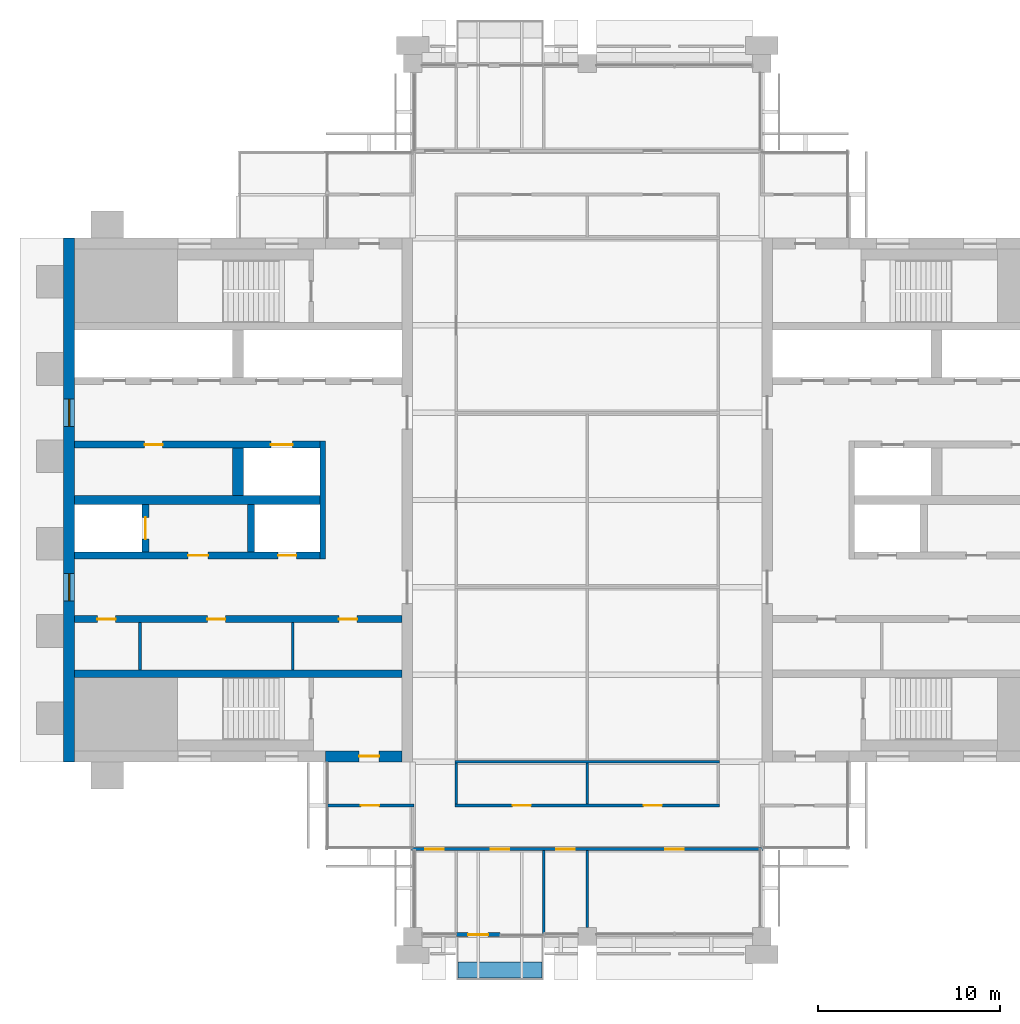
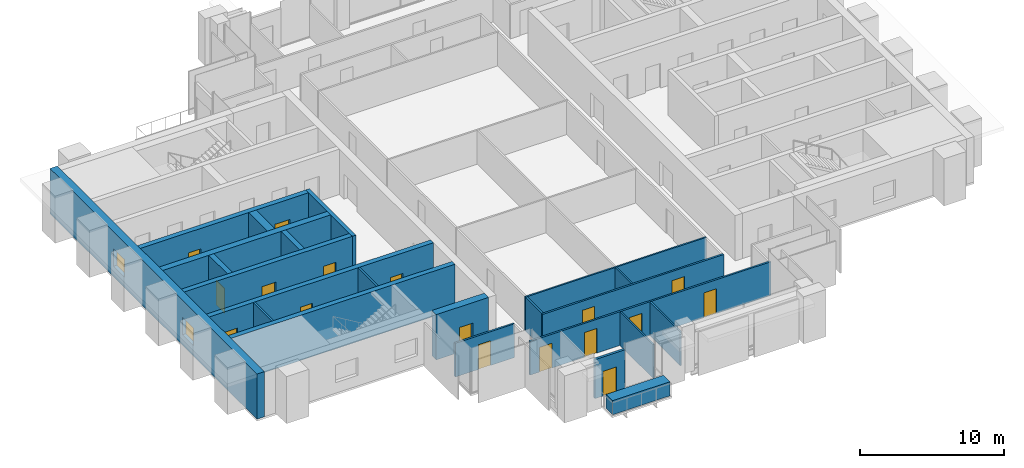
# One storey, part 8 of 14: 23 walls, 17 doors, 2 windows, 19 openings.
"""IFC4 building model written with IfcOpenShell, lengths in metres."""

from ifc_helpers import new_model, si_unit, direction, frame, frame_2d, origin, place, context, subcontext, project, spatial, rectangle, extrude, material, layer, layer_set, type_object, element, fill, save


model = new_model("IFC4")

# Units and contexts
model_context = context("Model", 3, precision=1e-05, world=origin(), true_north=direction((0.0, 1.0)))
body_context = subcontext(model_context, "Body", "Model", "MODEL_VIEW")
ifc_project = project(units=[si_unit("LENGTHUNIT", "METRE"), si_unit("AREAUNIT", "SQUARE_METRE"), si_unit("VOLUMEUNIT", "CUBIC_METRE"), si_unit("PLANEANGLEUNIT", "RADIAN"), si_unit("MASSUNIT", "GRAM", prefix="KILO")], contexts=[model_context])

# Site, building, storey
site_placement = place(None, origin())
site = spatial("IfcSite", under=ifc_project, at=site_placement, CompositionType="ELEMENT")
building_placement = place(site_placement, origin())
building = spatial("IfcBuilding", under=site, at=building_placement, Name="Baori Bourse Tower", CompositionType="ELEMENT")
storey_placement = place(building_placement, frame((0.0, 0.0, 290.300048828125)))
storey = spatial("IfcBuildingStorey", under=building, at=storey_placement, Name="L63", CompositionType="ELEMENT", Elevation=290.300048828125)

# Walls
ifc_material_1 = material(Name="Blockwork partition", Category="masonry")
ifc_layer_1 = layer(ifc_material_1, 0.14990234375)
ifc_layer_set_1 = layer_set([ifc_layer_1], Name="Core partition 150")
wall_type_1 = type_object("IfcWallType", Name="Core partition 150", PredefinedType="PARTITIONING", material=ifc_layer_set_1)
for number, where, z_axis, x_axis, name in (
    (1, (4.199951171875, 14.64990234375, 0.0), (0.0, 0.0, 1.0), (0.0, 1.0, 0.0), "Partition wall W09"),
    (2, (12.60009765625, 14.64990234375, 0.0), (0.0, 0.0, 1.0), (0.0, 1.0, 0.0), "Partition wall W10"),
):
    element("IfcWall", number, at=place(storey_placement, frame(where, z_axis=z_axis, x_axis=x_axis)), inside=storey, type_object=wall_type_1, Name=name, PredefinedType="PARTITIONING", context=body_context, shape_type="SweptSolid", body=[
        extrude(rectangle(XDim=2.60009765625, YDim=0.14990234375, at=frame_2d((1.300048828125, 0.0))), origin(), (0.0, 0.0, 1.0), 3.83984375),
    ])

# Wall, openings, windows
ifc_material_2 = material(Name="Concrete f'c 40 MPa", Category="concrete")
ifc_layer_2 = layer(ifc_material_2, 0.60009765625)
ifc_layer_set_2 = layer_set([ifc_layer_2], Name="Core wall 600 f'c 40")
wall_type_2 = type_object("IfcWallType", Name="Core wall 600 f'c 40", PredefinedType="SHEAR", material=ifc_layer_set_2)
wall_1_placement = place(storey_placement, frame((0.300048828125, 9.60009765625, 0.0), z_axis=(0.0, 0.0, 1.0), x_axis=(0.0, 1.0, 0.0)))
wall_1 = element("IfcWall", 3, at=wall_1_placement, inside=storey, type_object=wall_type_2, Name="Core wall W01", PredefinedType="SHEAR", context=body_context, shape_type="SweptSolid", body=[
    extrude(rectangle(XDim=28.7998046875, YDim=0.60009765625, at=frame_2d((14.39990234375, 0.0))), origin(), (0.0, 0.0, 1.0), 3.83984375),
])
opening_1_placement = place(wall_1_placement, frame((8.85009765625, 0.0, 0.89990234375)))
opening_1 = element("IfcOpeningElement", 4, at=opening_1_placement, cuts=wall_1, Name="Opening L63-KW101", PredefinedType="OPENING", context=body_context, shape_type="SweptSolid", body=[
    extrude(rectangle(XDim=1.5, YDim=1.5, at=frame_2d((0.75, 0.75))), frame((0.0, 0.31005859375, 0.0), z_axis=(0.0, -1.0, 0.0), x_axis=(1.0, 0.0, 0.0)), (0.0, 0.0, 1.0), 0.6201171875),
])
opening_2_placement = place(wall_1_placement, frame((18.449951171875, 0.0, 0.89990234375)))
opening_2 = element("IfcOpeningElement", 5, at=opening_2_placement, cuts=wall_1, Name="Opening L63-KW102", PredefinedType="OPENING", context=body_context, shape_type="SweptSolid", body=[
    extrude(rectangle(XDim=1.5, YDim=1.5, at=frame_2d((0.75, 0.75))), frame((0.0, 0.31005859375, 0.0), z_axis=(0.0, -1.0, 0.0), x_axis=(1.0, 0.0, 0.0)), (0.0, 0.0, 1.0), 0.6201171875),
])
ifc_material_3 = material(Name="Pale anodised aluminium", Category="aluminium")
window_type = type_object("IfcWindowType", Name="Lobby window 1500 x 1500", PartitioningType="SINGLE_PANEL", PredefinedType="WINDOW", material=ifc_material_3)
window_1_placement = place(opening_1_placement, origin())
window_1 = element("IfcWindow", 6, at=window_1_placement, inside=storey, type_object=window_type, Name="Outer wall window W L63 1", OverallHeight=1.5, OverallWidth=1.5, PartitioningType="SINGLE_PANEL", PredefinedType="WINDOW", context=body_context, shape_type="SweptSolid", body=[
    extrude(rectangle(XDim=1.5, YDim=1.5, at=frame_2d((0.75, 0.75))), frame((0.0, 0.030029296875, 0.0), z_axis=(0.0, -1.0, 0.0), x_axis=(1.0, 0.0, 0.0)), (0.0, 0.0, 1.0), 0.06005859375),
])
fill(opening_1, window_1)
window_2_placement = place(opening_2_placement, origin())
window_2 = element("IfcWindow", 7, at=window_2_placement, inside=storey, type_object=window_type, Name="Outer wall window W L63 2", OverallHeight=1.5, OverallWidth=1.5, PartitioningType="SINGLE_PANEL", PredefinedType="WINDOW", context=body_context, shape_type="SweptSolid", body=[
    extrude(rectangle(XDim=1.5, YDim=1.5, at=frame_2d((0.75, 0.75))), frame((0.0, 0.030029296875, 0.0), z_axis=(0.0, -1.0, 0.0), x_axis=(1.0, 0.0, 0.0)), (0.0, 0.0, 1.0), 0.06005859375),
])
fill(opening_2, window_2)

# Wall, opening, door
wall_2_placement = place(storey_placement, frame((18.60009765625, 9.89990234375, 0.0), z_axis=(0.0, 0.0, 1.0), x_axis=(-1.0, 0.0, 0.0)))
wall_2 = element("IfcWall", 8, at=wall_2_placement, inside=storey, type_object=wall_type_2, Name="Core wall W03", PredefinedType="SHEAR", context=body_context, shape_type="SweptSolid", body=[
    extrude(rectangle(XDim=4.2001953125, YDim=0.60009765625, at=frame_2d((2.10009765625, 0.0))), origin(), (0.0, 0.0, 1.0), 3.83984375),
])
opening_3_placement = place(wall_2_placement, frame((1.25, 0.0, 0.0)))
opening_3 = element("IfcOpeningElement", 9, at=opening_3_placement, cuts=wall_2, Name="Opening L63-D102", PredefinedType="OPENING", context=body_context, shape_type="SweptSolid", body=[
    extrude(rectangle(XDim=1.10009765625, YDim=2.10009765625, at=frame_2d((0.550048828125, 1.050048828125))), frame((0.0, 0.31005859375, 0.0), z_axis=(0.0, -1.0, 0.0), x_axis=(1.0, 0.0, 0.0)), (0.0, 0.0, 1.0), 0.6201171875),
])
ifc_material_4 = material(Name="Painted steel door", Category="steel")
door_type_1 = type_object("IfcDoorType", Name="Stair door 1100", OperationType="SINGLE_SWING_LEFT", PredefinedType="DOOR", material=ifc_material_4)
door_1_placement = place(opening_3_placement, origin())
door_1 = element("IfcDoor", 10, at=door_1_placement, inside=storey, type_object=door_type_1, Name="Stair vestibule door A W L63", OperationType="SINGLE_SWING_LEFT", OverallHeight=2.10009765625, OverallWidth=1.10009765625, PredefinedType="DOOR", context=body_context, shape_type="SweptSolid", body=[
    extrude(rectangle(XDim=1.10009765625, YDim=2.10009765625, at=frame_2d((0.550048828125, 1.050048828125))), frame((0.0, 0.02490234375, 0.0), z_axis=(0.0, -1.0, 0.0), x_axis=(1.0, 0.0, 0.0)), (0.0, 0.0, 1.0), 0.050048828125),
])
fill(opening_3, door_1)

# Wall, openings, doors
ifc_material_5 = material(Name="Gypsum board partition")
ifc_layer_3 = layer(ifc_material_5, 0.14990234375)
ifc_layer_set_3 = layer_set([ifc_layer_3], Name="Corridor partition 150")
wall_type_3 = type_object("IfcWallType", Name="Corridor partition 150", PredefinedType="PARTITIONING", material=ifc_layer_set_3)
wall_3_placement = place(storey_placement, frame((19.125, 4.800048828125, 0.0), z_axis=(0.0, 0.0, 1.0), x_axis=(1.0, 0.0, 0.0)))
wall_3 = element("IfcWall", 11, at=wall_3_placement, inside=storey, type_object=wall_type_3, Name="Partition", PredefinedType="PARTITIONING", context=body_context, shape_type="SweptSolid", body=[
    extrude(rectangle(XDim=19.35009765625, YDim=0.14990234375, at=frame_2d((9.675048828125, 0.0))), origin(), (0.0, 0.0, 1.0), 2.86962890625),
])
opening_4_placement = place(wall_3_placement, frame((0.77490234375, 0.0, 0.0)))
opening_4 = element("IfcOpeningElement", 12, at=opening_4_placement, cuts=wall_3, Name="Opening L63-D01", PredefinedType="OPENING", context=body_context, shape_type="SweptSolid", body=[
    extrude(rectangle(XDim=1.0, YDim=2.10009765625, at=frame_2d((0.5, 1.050048828125))), frame((0.0, 0.0849609375, 0.0), z_axis=(0.0, -1.0, 0.0), x_axis=(1.0, 0.0, 0.0)), (0.0, 0.0, 1.0), 0.169921875),
])
opening_5_placement = place(wall_3_placement, frame((4.375, 0.0, 0.0)))
opening_5 = element("IfcOpeningElement", 13, at=opening_5_placement, cuts=wall_3, Name="Opening L63-D02", PredefinedType="OPENING", context=body_context, shape_type="SweptSolid", body=[
    extrude(rectangle(XDim=1.0, YDim=2.10009765625, at=frame_2d((0.5, 1.050048828125))), frame((0.0, 0.0849609375, 0.0), z_axis=(0.0, -1.0, 0.0), x_axis=(1.0, 0.0, 0.0)), (0.0, 0.0, 1.0), 0.169921875),
])
opening_6_placement = place(wall_3_placement, frame((7.97509765625, 0.0, 0.0)))
opening_6 = element("IfcOpeningElement", 14, at=opening_6_placement, cuts=wall_3, Name="Opening L63-D03", PredefinedType="OPENING", context=body_context, shape_type="SweptSolid", body=[
    extrude(rectangle(XDim=1.0, YDim=2.10009765625, at=frame_2d((0.5, 1.050048828125))), frame((0.0, 0.0849609375, 0.0), z_axis=(0.0, -1.0, 0.0), x_axis=(1.0, 0.0, 0.0)), (0.0, 0.0, 1.0), 0.169921875),
])
opening_7_placement = place(wall_3_placement, frame((13.97509765625, 0.0, 0.0)))
opening_7 = element("IfcOpeningElement", 15, at=opening_7_placement, cuts=wall_3, Name="Opening L63-D04", PredefinedType="OPENING", context=body_context, shape_type="SweptSolid", body=[
    extrude(rectangle(XDim=1.0, YDim=2.10009765625, at=frame_2d((0.5, 1.050048828125))), frame((0.0, 0.0849609375, 0.0), z_axis=(0.0, -1.0, 0.0), x_axis=(1.0, 0.0, 0.0)), (0.0, 0.0, 1.0), 0.169921875),
])
ifc_material_6 = material(Name="Timber door leaf", Category="wood")
door_type_2 = type_object("IfcDoorType", Name="Door 1000 x 2100", OperationType="SINGLE_SWING_LEFT", PredefinedType="DOOR", material=ifc_material_6)
door_2_placement = place(opening_4_placement, origin())
door_2 = element("IfcDoor", 16, at=door_2_placement, inside=storey, type_object=door_type_2, Name="Door", OperationType="SINGLE_SWING_LEFT", OverallHeight=2.10009765625, OverallWidth=1.0, PredefinedType="DOOR", context=body_context, shape_type="SweptSolid", body=[
    extrude(rectangle(XDim=1.0, YDim=2.10009765625, at=frame_2d((0.5, 1.050048828125))), frame((0.0, 0.02490234375, 0.0), z_axis=(0.0, -1.0, 0.0), x_axis=(1.0, 0.0, 0.0)), (0.0, 0.0, 1.0), 0.050048828125),
])
fill(opening_4, door_2)
door_3_placement = place(opening_5_placement, origin())
door_3 = element("IfcDoor", 17, at=door_3_placement, inside=storey, type_object=door_type_2, Name="Door", OperationType="SINGLE_SWING_LEFT", OverallHeight=2.10009765625, OverallWidth=1.0, PredefinedType="DOOR", context=body_context, shape_type="SweptSolid", body=[
    extrude(rectangle(XDim=1.0, YDim=2.10009765625, at=frame_2d((0.5, 1.050048828125))), frame((0.0, 0.02490234375, 0.0), z_axis=(0.0, -1.0, 0.0), x_axis=(1.0, 0.0, 0.0)), (0.0, 0.0, 1.0), 0.050048828125),
])
fill(opening_5, door_3)
door_4_placement = place(opening_6_placement, origin())
door_4 = element("IfcDoor", 18, at=door_4_placement, inside=storey, type_object=door_type_2, Name="Door", OperationType="SINGLE_SWING_LEFT", OverallHeight=2.10009765625, OverallWidth=1.0, PredefinedType="DOOR", context=body_context, shape_type="SweptSolid", body=[
    extrude(rectangle(XDim=1.0, YDim=2.10009765625, at=frame_2d((0.5, 1.050048828125))), frame((0.0, 0.02490234375, 0.0), z_axis=(0.0, -1.0, 0.0), x_axis=(1.0, 0.0, 0.0)), (0.0, 0.0, 1.0), 0.050048828125),
])
fill(opening_6, door_4)
door_5_placement = place(opening_7_placement, origin())
door_5 = element("IfcDoor", 19, at=door_5_placement, inside=storey, type_object=door_type_2, Name="Door", OperationType="SINGLE_SWING_RIGHT", OverallHeight=2.10009765625, OverallWidth=1.0, PredefinedType="DOOR", context=body_context, shape_type="SweptSolid", body=[
    extrude(rectangle(XDim=1.0, YDim=2.10009765625, at=frame_2d((0.5, 1.050048828125))), frame((0.0, 0.02490234375, 0.0), z_axis=(0.0, -1.0, 0.0), x_axis=(1.0, 0.0, 0.0)), (0.0, 0.0, 1.0), 0.050048828125),
])
fill(opening_7, door_5)

# Wall, opening, door
wall_4_placement = place(storey_placement, frame((14.5, 7.199951171875, 0.0), z_axis=(0.0, 0.0, 1.0), x_axis=(1.0, 0.0, 0.0)))
wall_4 = element("IfcWall", 20, at=wall_4_placement, inside=storey, type_object=wall_type_3, Name="Partition", PredefinedType="PARTITIONING", context=body_context, shape_type="SweptSolid", body=[
    extrude(rectangle(XDim=4.77490234375, YDim=0.14990234375, at=frame_2d((2.387451171875, 0.0))), origin(), (0.0, 0.0, 1.0), 2.86962890625),
])
opening_8_placement = place(wall_4_placement, frame((1.85009765625, 0.0, 0.0)))
opening_8 = element("IfcOpeningElement", 21, at=opening_8_placement, cuts=wall_4, Name="Opening L63-D05", PredefinedType="OPENING", context=body_context, shape_type="SweptSolid", body=[
    extrude(rectangle(XDim=1.0, YDim=2.10009765625, at=frame_2d((0.5, 1.050048828125))), frame((0.0, 0.0849609375, 0.0), z_axis=(0.0, -1.0, 0.0), x_axis=(1.0, 0.0, 0.0)), (0.0, 0.0, 1.0), 0.169921875),
])
door_6_placement = place(opening_8_placement, origin())
door_6 = element("IfcDoor", 22, at=door_6_placement, inside=storey, type_object=door_type_2, Name="Door", OperationType="SINGLE_SWING_LEFT", OverallHeight=2.10009765625, OverallWidth=1.0, PredefinedType="DOOR", context=body_context, shape_type="SweptSolid", body=[
    extrude(rectangle(XDim=1.0, YDim=2.10009765625, at=frame_2d((0.5, 1.050048828125))), frame((0.0, 0.02490234375, 0.0), z_axis=(0.0, -1.0, 0.0), x_axis=(1.0, 0.0, 0.0)), (0.0, 0.0, 1.0), 0.050048828125),
])
fill(opening_8, door_6)

# Wall, openings, doors
wall_5_placement = place(storey_placement, frame((21.52490234375, 7.199951171875, 0.0), z_axis=(0.0, 0.0, 1.0), x_axis=(1.0, 0.0, 0.0)))
wall_5 = element("IfcWall", 23, at=wall_5_placement, inside=storey, type_object=wall_type_3, Name="Partition", PredefinedType="PARTITIONING", context=body_context, shape_type="SweptSolid", body=[
    extrude(rectangle(XDim=14.550048828125, YDim=0.14990234375, at=frame_2d((7.27490234375, 0.0))), origin(), (0.0, 0.0, 1.0), 2.86962890625),
])
opening_9_placement = place(wall_5_placement, frame((3.175048828125, 0.0, 0.0)))
opening_9 = element("IfcOpeningElement", 24, at=opening_9_placement, cuts=wall_5, Name="Opening L63-D06", PredefinedType="OPENING", context=body_context, shape_type="SweptSolid", body=[
    extrude(rectangle(XDim=1.0, YDim=2.10009765625, at=frame_2d((0.5, 1.050048828125))), frame((0.0, 0.0849609375, 0.0), z_axis=(0.0, -1.0, 0.0), x_axis=(1.0, 0.0, 0.0)), (0.0, 0.0, 1.0), 0.169921875),
])
opening_10_placement = place(wall_5_placement, frame((10.375, 0.0, 0.0)))
opening_10 = element("IfcOpeningElement", 25, at=opening_10_placement, cuts=wall_5, Name="Opening L63-D07", PredefinedType="OPENING", context=body_context, shape_type="SweptSolid", body=[
    extrude(rectangle(XDim=1.0, YDim=2.10009765625, at=frame_2d((0.5, 1.050048828125))), frame((0.0, 0.0849609375, 0.0), z_axis=(0.0, -1.0, 0.0), x_axis=(1.0, 0.0, 0.0)), (0.0, 0.0, 1.0), 0.169921875),
])
door_7_placement = place(opening_9_placement, origin())
door_7 = element("IfcDoor", 26, at=door_7_placement, inside=storey, type_object=door_type_2, Name="Door", OperationType="SINGLE_SWING_RIGHT", OverallHeight=2.10009765625, OverallWidth=1.0, PredefinedType="DOOR", context=body_context, shape_type="SweptSolid", body=[
    extrude(rectangle(XDim=1.0, YDim=2.10009765625, at=frame_2d((0.5, 1.050048828125))), frame((0.0, 0.02490234375, 0.0), z_axis=(0.0, -1.0, 0.0), x_axis=(1.0, 0.0, 0.0)), (0.0, 0.0, 1.0), 0.050048828125),
])
fill(opening_9, door_7)
door_8_placement = place(opening_10_placement, origin())
door_8 = element("IfcDoor", 27, at=door_8_placement, inside=storey, type_object=door_type_2, Name="Door", OperationType="SINGLE_SWING_LEFT", OverallHeight=2.10009765625, OverallWidth=1.0, PredefinedType="DOOR", context=body_context, shape_type="SweptSolid", body=[
    extrude(rectangle(XDim=1.0, YDim=2.10009765625, at=frame_2d((0.5, 1.050048828125))), frame((0.0, 0.02490234375, 0.0), z_axis=(0.0, -1.0, 0.0), x_axis=(1.0, 0.0, 0.0)), (0.0, 0.0, 1.0), 0.050048828125),
])
fill(opening_10, door_8)

# Wall
wall_6_placement = place(storey_placement, frame((21.60009765625, 7.27490234375, 0.0), z_axis=(0.0, 0.0, 1.0), x_axis=(0.0, 1.0, 0.0)))
element("IfcWall", 28, at=wall_6_placement, inside=storey, type_object=wall_type_3, Name="Partition", PredefinedType="PARTITIONING", context=body_context, shape_type="SweptSolid", body=[
    extrude(rectangle(XDim=2.2626953125, YDim=0.14990234375, at=frame_2d((1.13134765625, 0.0))), origin(), (0.0, 0.0, 1.0), 2.86962890625),
])

# Wall, opening, door
ifc_material_7 = material(Name="Pale anodised aluminium", Category="aluminium")
ifc_layer_4 = layer(ifc_material_7, 0.199951171875)
ifc_layer_set_4 = layer_set([ifc_layer_4], Name="EW1 External wall bay")
wall_type_4 = type_object("IfcWallType", Name="EW1 External wall bay", PredefinedType="SOLIDWALL", material=ifc_layer_set_4)
wall_7_placement = place(storey_placement, frame((21.60009765625, 0.10009765625, 0.0), z_axis=(0.0, 0.0, 1.0), x_axis=(1.0, 0.0, 0.0)))
wall_7 = element("IfcWall", 29, at=wall_7_placement, inside=storey, type_object=wall_type_4, Name="External wall bay L63 3", PredefinedType="SOLIDWALL", context=body_context, shape_type="SweptSolid", body=[
    extrude(rectangle(XDim=2.39990234375, YDim=0.199951171875, at=frame_2d((1.199951171875, 0.0))), origin(), (0.0, 0.0, 1.0), 3.314208984375),
])
opening_11_placement = place(wall_7_placement, frame((0.64990234375, 0.0, 0.0)))
opening_11 = element("IfcOpeningElement", 30, at=opening_11_placement, cuts=wall_7, Name="Opening L63-D93", PredefinedType="OPENING", context=body_context, shape_type="SweptSolid", body=[
    extrude(rectangle(XDim=1.10009765625, YDim=2.10009765625, at=frame_2d((0.550048828125, 1.050048828125))), frame((0.0, 0.10986328125, 0.0), z_axis=(0.0, -1.0, 0.0), x_axis=(1.0, 0.0, 0.0)), (0.0, 0.0, 1.0), 0.219970703125),
])
ifc_material_8 = material(Name="Pale anodised aluminium", Category="aluminium")
door_type_3 = type_object("IfcDoorType", Name="BL1 Balcony door", OperationType="SINGLE_SWING_LEFT", PredefinedType="DOOR", material=ifc_material_8)
door_9_placement = place(opening_11_placement, origin())
door_9 = element("IfcDoor", 31, at=door_9_placement, inside=storey, type_object=door_type_3, Name="Balcony door L63 3", OperationType="SINGLE_SWING_LEFT", OverallHeight=2.10009765625, OverallWidth=1.10009765625, PredefinedType="DOOR", context=body_context, shape_type="SweptSolid", body=[
    extrude(rectangle(XDim=1.10009765625, YDim=2.10009765625, at=frame_2d((0.550048828125, 1.050048828125))), frame((0.0, 0.02490234375, 0.0), z_axis=(0.0, -1.0, 0.0), x_axis=(1.0, 0.0, 0.0)), (0.0, 0.0, 1.0), 0.050048828125),
])
fill(opening_11, door_9)

# Walls
ifc_material_9 = material(Name="Concrete f'c 40 MPa", Category="concrete")
ifc_layer_5 = layer(ifc_material_9, 0.89990234375)
ifc_layer_set_5 = layer_set([ifc_layer_5], Name="PW1 Planter wall")
wall_type_5 = type_object("IfcWallType", Name="PW1 Planter wall", PredefinedType="USERDEFINED", material=ifc_layer_set_5)
wall_8_placement = place(storey_placement, frame((21.699951171875, -1.85009765625, 0.0), z_axis=(0.0, 0.0, 1.0), x_axis=(1.0, 0.0, 0.0)))
element("IfcWall", 32, at=wall_8_placement, inside=storey, type_object=wall_type_5, Name="Planter balcony S L63 1", ObjectType="PLANTER", PredefinedType="USERDEFINED", context=body_context, shape_type="SweptSolid", body=[
    extrude(rectangle(XDim=4.60009765625, YDim=0.89990234375, at=frame_2d((2.300048828125, 0.0))), origin(), (0.0, 0.0, 1.0), 1.199951171875),
])
ifc_material_10 = material(Name="Gypsum board partition")
ifc_layer_6 = layer(ifc_material_10, 0.125)
ifc_layer_set_6 = layer_set([ifc_layer_6], Name="Partition 125")
wall_type_6 = type_object("IfcWallType", Name="Partition 125", PredefinedType="PARTITIONING", material=ifc_layer_set_6)
wall_9_placement = place(storey_placement, frame((21.52490234375, 9.60009765625, 0.0), z_axis=(0.0, 0.0, 1.0), x_axis=(1.0, 0.0, 0.0)))
element("IfcWall", 33, at=wall_9_placement, inside=storey, type_object=wall_type_6, Name="Partition", PredefinedType="PARTITIONING", context=body_context, shape_type="SweptSolid", body=[
    extrude(rectangle(XDim=14.550048828125, YDim=0.125, at=frame_2d((7.27490234375, 0.0))), origin(), (0.0, 0.0, 1.0), 2.86962890625),
])
wall_10_placement = place(storey_placement, frame((26.39990234375, 0.10009765625, 0.0), z_axis=(0.0, 0.0, 1.0), x_axis=(0.0, 1.0, 0.0)))
element("IfcWall", 34, at=wall_10_placement, inside=storey, type_object=wall_type_6, Name="Partition", PredefinedType="PARTITIONING", context=body_context, shape_type="SweptSolid", body=[
    extrude(rectangle(XDim=4.625, YDim=0.125, at=frame_2d((2.3125, 0.0))), origin(), (0.0, 0.0, 1.0), 2.86962890625),
])
wall_11_placement = place(storey_placement, frame((28.800048828125, 0.5, 0.0), z_axis=(0.0, 0.0, 1.0), x_axis=(0.0, 1.0, 0.0)))
element("IfcWall", 35, at=wall_11_placement, inside=storey, type_object=wall_type_6, Name="Partition", PredefinedType="PARTITIONING", context=body_context, shape_type="SweptSolid", body=[
    extrude(rectangle(XDim=4.22509765625, YDim=0.125, at=frame_2d((2.112548828125, 0.0))), origin(), (0.0, 0.0, 1.0), 2.86962890625),
])
wall_12_placement = place(storey_placement, frame((28.800048828125, 7.27490234375, 0.0), z_axis=(0.0, 0.0, 1.0), x_axis=(0.0, 1.0, 0.0)))
element("IfcWall", 36, at=wall_12_placement, inside=storey, type_object=wall_type_6, Name="Partition", PredefinedType="PARTITIONING", context=body_context, shape_type="SweptSolid", body=[
    extrude(rectangle(XDim=2.2626953125, YDim=0.125, at=frame_2d((1.13134765625, 0.0))), origin(), (0.0, 0.0, 1.0), 2.86962890625),
])
ifc_material_11 = material(Name="Concrete f'c 40 MPa", Category="concrete")
ifc_layer_7 = layer(ifc_material_11, 0.300048828125)
ifc_layer_set_7 = layer_set([ifc_layer_7], Name="Shaft wall 300 f'c 40")
wall_type_7 = type_object("IfcWallType", Name="Shaft wall 300 f'c 40", PredefinedType="SHEAR", material=ifc_layer_set_7)
wall_13_placement = place(storey_placement, frame((14.25, 20.75, 0.0), z_axis=(0.0, 0.0, 1.0), x_axis=(0.0, 1.0, 0.0)))
element("IfcWall", 37, at=wall_13_placement, inside=storey, type_object=wall_type_7, Name="Core wall W13", PredefinedType="SHEAR", context=body_context, shape_type="SweptSolid", body=[
    extrude(rectangle(XDim=6.5, YDim=0.300048828125, at=frame_2d((3.25, 0.0))), origin(), (0.0, 0.0, 1.0), 3.83984375),
])
ifc_material_12 = material(Name="Concrete f'c 40 MPa", Category="concrete")
ifc_layer_8 = layer(ifc_material_12, 0.39990234375)
ifc_layer_set_8 = layer_set([ifc_layer_8], Name="Shaft wall 400 f'c 40")
wall_type_8 = type_object("IfcWallType", Name="Shaft wall 400 f'c 40", PredefinedType="SHEAR", material=ifc_layer_set_8)
wall_14_placement = place(storey_placement, frame((0.60009765625, 14.449951171875, 0.0), z_axis=(0.0, 0.0, 1.0), x_axis=(1.0, 0.0, 0.0)))
element("IfcWall", 38, at=wall_14_placement, inside=storey, type_object=wall_type_8, Name="Core wall W08", PredefinedType="SHEAR", context=body_context, shape_type="SweptSolid", body=[
    extrude(rectangle(XDim=18.0, YDim=0.39990234375, at=frame_2d((9.0, 0.0))), origin(), (0.0, 0.0, 1.0), 3.83984375),
])

# Wall, openings, doors
wall_15_placement = place(storey_placement, frame((0.60009765625, 17.449951171875, 0.0), z_axis=(0.0, 0.0, 1.0), x_axis=(1.0, 0.0, 0.0)))
wall_15 = element("IfcWall", 39, at=wall_15_placement, inside=storey, type_object=wall_type_8, Name="Core wall W11", PredefinedType="SHEAR", context=body_context, shape_type="SweptSolid", body=[
    extrude(rectangle(XDim=18.0, YDim=0.39990234375, at=frame_2d((9.0, 0.0))), origin(), (0.0, 0.0, 1.0), 3.83984375),
])
opening_12_placement = place(wall_15_placement, frame((1.262451171875, 0.0, 0.0)))
opening_12 = element("IfcOpeningElement", 40, at=opening_12_placement, cuts=wall_15, Name="Opening L63-D109", PredefinedType="OPENING", context=body_context, shape_type="SweptSolid", body=[
    extrude(rectangle(XDim=1.0, YDim=2.10009765625, at=frame_2d((0.5, 1.050048828125))), frame((0.0, 0.2099609375, 0.0), z_axis=(0.0, -1.0, 0.0), x_axis=(1.0, 0.0, 0.0)), (0.0, 0.0, 1.0), 0.419921875),
])
opening_13_placement = place(wall_15_placement, frame((7.300048828125, 0.0, 0.0)))
opening_13 = element("IfcOpeningElement", 41, at=opening_13_placement, cuts=wall_15, Name="Opening L63-D110", PredefinedType="OPENING", context=body_context, shape_type="SweptSolid", body=[
    extrude(rectangle(XDim=1.0, YDim=2.10009765625, at=frame_2d((0.5, 1.050048828125))), frame((0.0, 0.2099609375, 0.0), z_axis=(0.0, -1.0, 0.0), x_axis=(1.0, 0.0, 0.0)), (0.0, 0.0, 1.0), 0.419921875),
])
opening_14_placement = place(wall_15_placement, frame((14.53759765625, 0.0, 0.0)))
opening_14 = element("IfcOpeningElement", 42, at=opening_14_placement, cuts=wall_15, Name="Opening L63-D111", PredefinedType="OPENING", context=body_context, shape_type="SweptSolid", body=[
    extrude(rectangle(XDim=1.0, YDim=2.10009765625, at=frame_2d((0.5, 1.050048828125))), frame((0.0, 0.2099609375, 0.0), z_axis=(0.0, -1.0, 0.0), x_axis=(1.0, 0.0, 0.0)), (0.0, 0.0, 1.0), 0.419921875),
])
ifc_material_13 = material(Name="Painted steel door", Category="steel")
door_type_4 = type_object("IfcDoorType", Name="Core door 1000", OperationType="SINGLE_SWING_LEFT", PredefinedType="DOOR", material=ifc_material_13)
door_10_placement = place(opening_12_placement, origin())
door_10 = element("IfcDoor", 43, at=door_10_placement, inside=storey, type_object=door_type_4, Name="Accessible Wc door W L63", OperationType="SINGLE_SWING_LEFT", OverallHeight=2.10009765625, OverallWidth=1.0, PredefinedType="DOOR", context=body_context, shape_type="SweptSolid", body=[
    extrude(rectangle(XDim=1.0, YDim=2.10009765625, at=frame_2d((0.5, 1.050048828125))), frame((0.0, 0.02490234375, 0.0), z_axis=(0.0, -1.0, 0.0), x_axis=(1.0, 0.0, 0.0)), (0.0, 0.0, 1.0), 0.050048828125),
])
fill(opening_12, door_10)
door_11_placement = place(opening_13_placement, origin())
door_11 = element("IfcDoor", 44, at=door_11_placement, inside=storey, type_object=door_type_4, Name="Men'S Wc door W L63", OperationType="SINGLE_SWING_LEFT", OverallHeight=2.10009765625, OverallWidth=1.0, PredefinedType="DOOR", context=body_context, shape_type="SweptSolid", body=[
    extrude(rectangle(XDim=1.0, YDim=2.10009765625, at=frame_2d((0.5, 1.050048828125))), frame((0.0, 0.02490234375, 0.0), z_axis=(0.0, -1.0, 0.0), x_axis=(1.0, 0.0, 0.0)), (0.0, 0.0, 1.0), 0.050048828125),
])
fill(opening_13, door_11)
door_12_placement = place(opening_14_placement, origin())
door_12 = element("IfcDoor", 45, at=door_12_placement, inside=storey, type_object=door_type_4, Name="Women'S Wc door W L63", OperationType="SINGLE_SWING_LEFT", OverallHeight=2.10009765625, OverallWidth=1.0, PredefinedType="DOOR", context=body_context, shape_type="SweptSolid", body=[
    extrude(rectangle(XDim=1.0, YDim=2.10009765625, at=frame_2d((0.5, 1.050048828125))), frame((0.0, 0.02490234375, 0.0), z_axis=(0.0, -1.0, 0.0), x_axis=(1.0, 0.0, 0.0)), (0.0, 0.0, 1.0), 0.050048828125),
])
fill(opening_14, door_12)

wall_16_placement = place(storey_placement, frame((0.60009765625, 20.949951171875, 0.0), z_axis=(0.0, 0.0, 1.0), x_axis=(1.0, 0.0, 0.0)))
wall_16 = element("IfcWall", 46, at=wall_16_placement, inside=storey, type_object=wall_type_8, Name="Core wall W12", PredefinedType="SHEAR", context=body_context, shape_type="SweptSolid", body=[
    extrude(rectangle(XDim=13.5, YDim=0.39990234375, at=frame_2d((6.75, 0.0))), origin(), (0.0, 0.0, 1.0), 3.83984375),
])
opening_15_placement = place(wall_16_placement, frame((6.25, 0.0, 0.0)))
opening_15 = element("IfcOpeningElement", 47, at=opening_15_placement, cuts=wall_16, Name="Opening L63-D105", PredefinedType="OPENING", context=body_context, shape_type="SweptSolid", body=[
    extrude(rectangle(XDim=1.10009765625, YDim=2.10009765625, at=frame_2d((0.550048828125, 1.050048828125))), frame((0.0, 0.2099609375, 0.0), z_axis=(0.0, -1.0, 0.0), x_axis=(1.0, 0.0, 0.0)), (0.0, 0.0, 1.0), 0.419921875),
])
opening_16_placement = place(wall_16_placement, frame((11.199951171875, 0.0, 0.0)))
opening_16 = element("IfcOpeningElement", 48, at=opening_16_placement, cuts=wall_16, Name="Opening L63-D106", PredefinedType="OPENING", context=body_context, shape_type="SweptSolid", body=[
    extrude(rectangle(XDim=1.0, YDim=2.10009765625, at=frame_2d((0.5, 1.050048828125))), frame((0.0, 0.2099609375, 0.0), z_axis=(0.0, -1.0, 0.0), x_axis=(1.0, 0.0, 0.0)), (0.0, 0.0, 1.0), 0.419921875),
])
ifc_material_14 = material(Name="Painted steel door", Category="steel")
door_type_5 = type_object("IfcDoorType", Name="Lobby door 1100", OperationType="SINGLE_SWING_LEFT", PredefinedType="DOOR", material=ifc_material_14)
door_13_placement = place(opening_15_placement, origin())
door_13 = element("IfcDoor", 49, at=door_13_placement, inside=storey, type_object=door_type_5, Name="Firefighting lobby door W L63", OperationType="SINGLE_SWING_LEFT", OverallHeight=2.10009765625, OverallWidth=1.10009765625, PredefinedType="DOOR", context=body_context, shape_type="SweptSolid", body=[
    extrude(rectangle(XDim=1.10009765625, YDim=2.10009765625, at=frame_2d((0.550048828125, 1.050048828125))), frame((0.0, 0.02490234375, 0.0), z_axis=(0.0, -1.0, 0.0), x_axis=(1.0, 0.0, 0.0)), (0.0, 0.0, 1.0), 0.050048828125),
])
fill(opening_15, door_13)
ifc_material_15 = material(Name="Painted steel door", Category="steel")
door_type_6 = type_object("IfcDoorType", Name="Shaft door 1000", OperationType="SINGLE_SWING_LEFT", PredefinedType="DOOR", material=ifc_material_15)
door_14_placement = place(opening_16_placement, origin())
door_14 = element("IfcDoor", 50, at=door_14_placement, inside=storey, type_object=door_type_6, Name="Riser room door W L63", OperationType="SINGLE_SWING_LEFT", OverallHeight=2.10009765625, OverallWidth=1.0, PredefinedType="DOOR", context=body_context, shape_type="SweptSolid", body=[
    extrude(rectangle(XDim=1.0, YDim=2.10009765625, at=frame_2d((0.5, 1.050048828125))), frame((0.0, 0.02490234375, 0.0), z_axis=(0.0, -1.0, 0.0), x_axis=(1.0, 0.0, 0.0)), (0.0, 0.0, 1.0), 0.050048828125),
])
fill(opening_16, door_14)

# Wall, opening, door
wall_17_placement = place(storey_placement, frame((4.5, 21.14990234375, 0.0), z_axis=(0.0, 0.0, 1.0), x_axis=(0.0, 1.0, 0.0)))
wall_17 = element("IfcWall", 51, at=wall_17_placement, inside=storey, type_object=wall_type_8, Name="Core wall W14", PredefinedType="SHEAR", context=body_context, shape_type="SweptSolid", body=[
    extrude(rectangle(XDim=2.60009765625, YDim=0.39990234375, at=frame_2d((1.300048828125, 0.0))), origin(), (0.0, 0.0, 1.0), 3.83984375),
])
opening_17_placement = place(wall_17_placement, frame((0.699951171875, 0.0, 0.0)))
opening_17 = element("IfcOpeningElement", 52, at=opening_17_placement, cuts=wall_17, Name="Opening L63-D120", PredefinedType="OPENING", context=body_context, shape_type="SweptSolid", body=[
    extrude(rectangle(XDim=1.199951171875, YDim=2.10009765625, at=frame_2d((0.60009765625, 1.050048828125))), frame((0.0, 0.2099609375, 0.0), z_axis=(0.0, -1.0, 0.0), x_axis=(1.0, 0.0, 0.0)), (0.0, 0.0, 1.0), 0.419921875),
])
ifc_material_16 = material(Name="Stainless steel door", Category="steel")
door_type_7 = type_object("IfcDoorType", Name="Lift landing door", OperationType="DOUBLE_DOOR_SLIDING", PredefinedType="DOOR", material=ifc_material_16)
door_15_placement = place(opening_17_placement, origin())
door_15 = element("IfcDoor", 53, at=door_15_placement, inside=storey, type_object=door_type_7, Name="Lift landing door FF1 W L63", OperationType="DOUBLE_DOOR_SLIDING", OverallHeight=2.10009765625, OverallWidth=1.199951171875, PredefinedType="DOOR", context=body_context, shape_type="SweptSolid", body=[
    extrude(rectangle(XDim=1.199951171875, YDim=2.10009765625, at=frame_2d((0.60009765625, 1.050048828125))), frame((0.0, 0.02490234375, 0.0), z_axis=(0.0, -1.0, 0.0), x_axis=(1.0, 0.0, 0.0)), (0.0, 0.0, 1.0), 0.050048828125),
])
fill(opening_17, door_15)

# Wall
wall_18_placement = place(storey_placement, frame((10.300048828125, 21.14990234375, 0.0), z_axis=(0.0, 0.0, 1.0), x_axis=(0.0, 1.0, 0.0)))
element("IfcWall", 54, at=wall_18_placement, inside=storey, type_object=wall_type_8, Name="Core wall W15", PredefinedType="SHEAR", context=body_context, shape_type="SweptSolid", body=[
    extrude(rectangle(XDim=2.60009765625, YDim=0.39990234375, at=frame_2d((1.300048828125, 0.0))), origin(), (0.0, 0.0, 1.0), 3.83984375),
])

# Wall, openings, doors
wall_19_placement = place(storey_placement, frame((0.60009765625, 27.050048828125, 0.0), z_axis=(0.0, 0.0, 1.0), x_axis=(1.0, 0.0, 0.0)))
wall_19 = element("IfcWall", 55, at=wall_19_placement, inside=storey, type_object=wall_type_8, Name="Core wall W18", PredefinedType="SHEAR", context=body_context, shape_type="SweptSolid", body=[
    extrude(rectangle(XDim=13.5, YDim=0.39990234375, at=frame_2d((6.75, 0.0))), origin(), (0.0, 0.0, 1.0), 3.83984375),
])
opening_18_placement = place(wall_19_placement, frame((3.85009765625, 0.0, 0.0)))
opening_18 = element("IfcOpeningElement", 56, at=opening_18_placement, cuts=wall_19, Name="Opening L63-D112", PredefinedType="OPENING", context=body_context, shape_type="SweptSolid", body=[
    extrude(rectangle(XDim=1.0, YDim=2.10009765625, at=frame_2d((0.5, 1.050048828125))), frame((0.0, 0.2099609375, 0.0), z_axis=(0.0, -1.0, 0.0), x_axis=(1.0, 0.0, 0.0)), (0.0, 0.0, 1.0), 0.419921875),
])
opening_19_placement = place(wall_19_placement, frame((10.800048828125, 0.0, 0.0)))
opening_19 = element("IfcOpeningElement", 57, at=opening_19_placement, cuts=wall_19, Name="Opening L63-D119", PredefinedType="OPENING", context=body_context, shape_type="SweptSolid", body=[
    extrude(rectangle(XDim=1.199951171875, YDim=2.10009765625, at=frame_2d((0.60009765625, 1.050048828125))), frame((0.0, 0.2099609375, 0.0), z_axis=(0.0, -1.0, 0.0), x_axis=(1.0, 0.0, 0.0)), (0.0, 0.0, 1.0), 0.419921875),
])
door_16_placement = place(opening_18_placement, origin())
door_16 = element("IfcDoor", 58, at=door_16_placement, inside=storey, type_object=door_type_4, Name="Copy Room door W L63", OperationType="SINGLE_SWING_LEFT", OverallHeight=2.10009765625, OverallWidth=1.0, PredefinedType="DOOR", context=body_context, shape_type="SweptSolid", body=[
    extrude(rectangle(XDim=1.0, YDim=2.10009765625, at=frame_2d((0.5, 1.050048828125))), frame((0.0, 0.02490234375, 0.0), z_axis=(0.0, -1.0, 0.0), x_axis=(1.0, 0.0, 0.0)), (0.0, 0.0, 1.0), 0.050048828125),
])
fill(opening_18, door_16)
door_17_placement = place(opening_19_placement, origin())
door_17 = element("IfcDoor", 59, at=door_17_placement, inside=storey, type_object=door_type_7, Name="Lift landing door SV1 W L63", OperationType="DOUBLE_DOOR_SLIDING", OverallHeight=2.10009765625, OverallWidth=1.199951171875, PredefinedType="DOOR", context=body_context, shape_type="SweptSolid", body=[
    extrude(rectangle(XDim=1.199951171875, YDim=2.10009765625, at=frame_2d((0.60009765625, 1.050048828125))), frame((0.0, 0.02490234375, 0.0), z_axis=(0.0, -1.0, 0.0), x_axis=(1.0, 0.0, 0.0)), (0.0, 0.0, 1.0), 0.050048828125),
])
fill(opening_19, door_17)

# Walls
ifc_material_17 = material(Name="Concrete f'c 40 MPa", Category="concrete")
ifc_layer_9 = layer(ifc_material_17, 0.5)
ifc_layer_set_9 = layer_set([ifc_layer_9], Name="Shaft wall 500 f'c 40")
wall_type_9 = type_object("IfcWallType", Name="Shaft wall 500 f'c 40", PredefinedType="SHEAR", material=ifc_layer_set_9)
wall_20_placement = place(storey_placement, frame((0.60009765625, 24.0, 0.0), z_axis=(0.0, 0.0, 1.0), x_axis=(1.0, 0.0, 0.0)))
element("IfcWall", 60, at=wall_20_placement, inside=storey, type_object=wall_type_9, Name="Core wall W16", PredefinedType="SHEAR", context=body_context, shape_type="SweptSolid", body=[
    extrude(rectangle(XDim=13.5, YDim=0.5, at=frame_2d((6.75, 0.0))), origin(), (0.0, 0.0, 1.0), 3.83984375),
])
ifc_material_18 = material(Name="Concrete f'c 40 MPa", Category="concrete")
ifc_layer_10 = layer(ifc_material_18, 0.60009765625)
ifc_layer_set_10 = layer_set([ifc_layer_10], Name="Shaft wall 600 f'c 40")
wall_type_10 = type_object("IfcWallType", Name="Shaft wall 600 f'c 40", PredefinedType="SHEAR", material=ifc_layer_set_10)
wall_21_placement = place(storey_placement, frame((9.60009765625, 24.25, 0.0), z_axis=(0.0, 0.0, 1.0), x_axis=(0.0, 1.0, 0.0)))
element("IfcWall", 61, at=wall_21_placement, inside=storey, type_object=wall_type_10, Name="Core wall W17", PredefinedType="SHEAR", context=body_context, shape_type="SweptSolid", body=[
    extrude(rectangle(XDim=2.60009765625, YDim=0.60009765625, at=frame_2d((1.300048828125, 0.0))), origin(), (0.0, 0.0, 1.0), 3.83984375),
])

save(model, "model.ifc")
